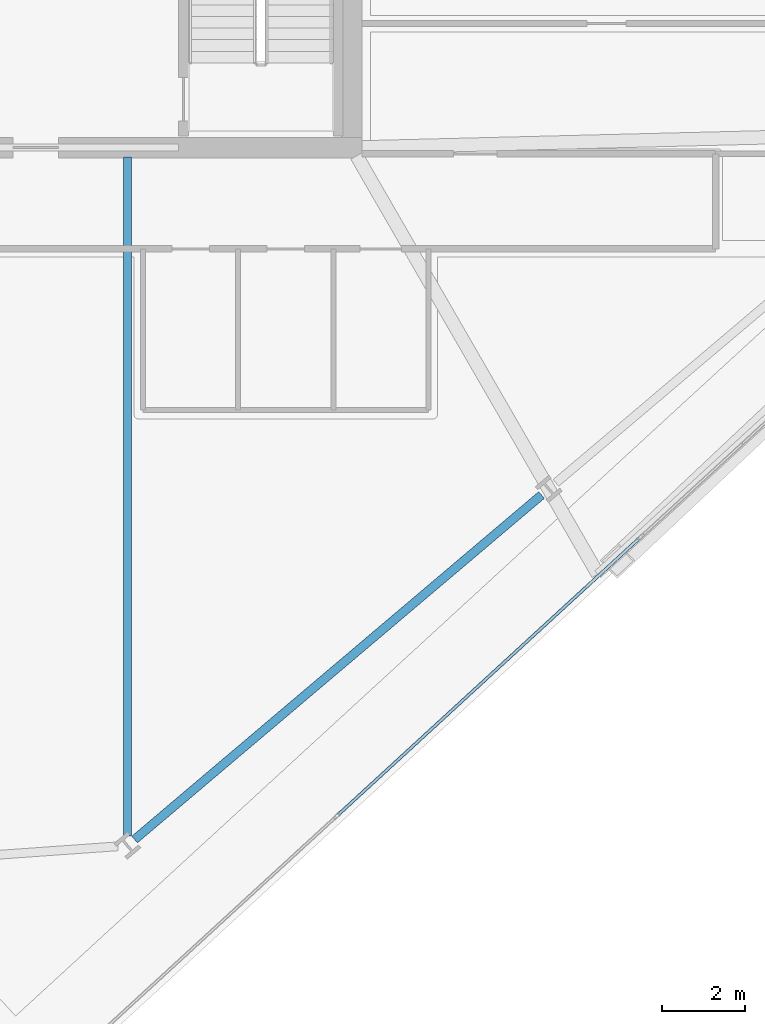
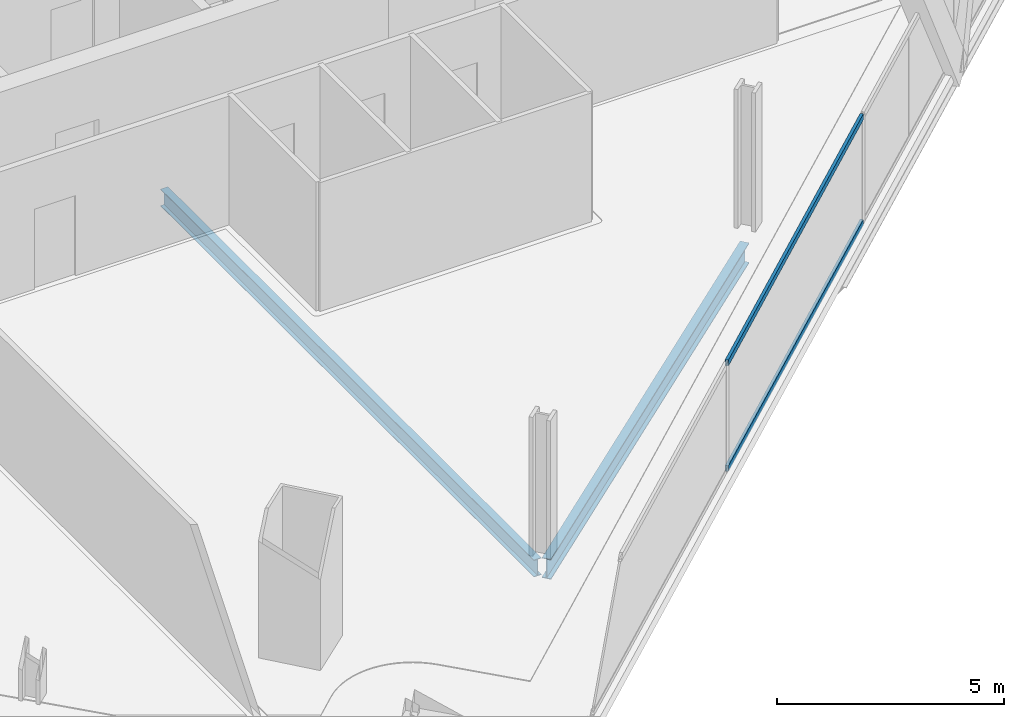
# One storey, part 7 of 32: 2 beams, 2 members, 1 element without a shape of its own.
"""IFC4 building model written with IfcOpenShell, lengths in metres."""

from ifc_helpers import new_model, si_unit, direction, frame, origin, origin_2d, place, context, subcontext, project, spatial, hollow_rectangle, i_section, extrude, material, material_profile, profile_set, type_object, element, aggregate, save


model = new_model("IFC4")

# Units and contexts
model_context = context("Model", 3, precision=1e-05, world=origin(), true_north=direction((0.0, 1.0)))
body_context = subcontext(model_context, "Body", "Model", "MODEL_VIEW")
ifc_project = project(units=[si_unit("LENGTHUNIT", "METRE"), si_unit("AREAUNIT", "SQUARE_METRE"), si_unit("VOLUMEUNIT", "CUBIC_METRE"), si_unit("PLANEANGLEUNIT", "RADIAN"), si_unit("MASSUNIT", "GRAM", prefix="KILO")], contexts=[model_context])

# Site, building, storey
site_placement = place(None, origin())
site = spatial("IfcSite", under=ifc_project, at=site_placement, CompositionType="ELEMENT")
building_placement = place(site_placement, origin())
building = spatial("IfcBuilding", under=site, at=building_placement, Name="Haldenkirk Collegiate Tower", CompositionType="ELEMENT")
storey_placement = place(building_placement, frame((0.0, 0.0, 170.699951171875)))
storey = spatial("IfcBuildingStorey", under=building, at=storey_placement, Name="L42", CompositionType="ELEMENT", Elevation=170.699951171875)

# Beams
ifc_material_1 = material(Name="Steel ASTM A992 Grade 50", Category="steel")
ifc_material_profile_1 = material_profile(ifc_material_1, i_section(OverallWidth=0.18994140625, OverallDepth=0.45703125, WebThickness=0.009033203125, FlangeThickness=0.014404296875, at=origin_2d()), Name="W18X50")
ifc_profile_set_1 = profile_set([ifc_material_profile_1], Name="Steel ASTM A992 Grade 50")
beam_type_1 = type_object("IfcBeamType", Name="BM-JOIST-W18X50", PredefinedType="JOIST", material=ifc_profile_set_1)
beam_1_placement = place(storey_placement, frame((39.568603515625, 1.342529296875, -0.5185546875), z_axis=(0.0, 1.0, 0.0), x_axis=(-1.0, 0.0, 0.0)))
element("IfcBeam", 1, at=beam_1_placement, inside=storey, type_object=beam_type_1, Name="L42 composite floor joist 05", PredefinedType="JOIST", context=body_context, shape_type="SweptSolid", body=[
    extrude(i_section(OverallWidth=0.18994140625, OverallDepth=0.45703125, WebThickness=0.009033203125, FlangeThickness=0.014404296875, at=origin_2d()), origin(), (0.0, 0.0, 1.0), 16.427490234375),
])
ifc_material_profile_2 = material_profile(ifc_material_1, i_section(OverallWidth=0.2119140625, OverallDepth=0.5439453125, WebThickness=0.01318359375, FlangeThickness=0.021240234375, at=origin_2d()), Name="W21X83")
ifc_profile_set_2 = profile_set([ifc_material_profile_2], Name="Steel ASTM A992 Grade 50")
beam_type_2 = type_object("IfcBeamType", Name="BM-SPANDREL-W21X83", PredefinedType="SPANDREL", material=ifc_profile_set_2)
beam_2_placement = place(storey_placement, frame((39.743408203125, 1.261474609375, -0.56201171875), z_axis=(0.763233335078, 0.646122957514, 0.0), x_axis=(-0.646122957514, 0.763233335078, 0.0)))
element("IfcBeam", 2, at=beam_2_placement, inside=storey, type_object=beam_type_2, Name="L42 perimeter spandrel beam 02", PredefinedType="SPANDREL", context=body_context, shape_type="SweptSolid", body=[
    extrude(i_section(OverallWidth=0.2119140625, OverallDepth=0.5439453125, WebThickness=0.01318359375, FlangeThickness=0.021240234375, at=origin_2d()), origin(), (0.0, 0.0, 1.0), 12.898193359375),
])

# Curtain wall, members
ifc_material_2 = material(Name="Anodised architectural bronze aluminium", Category="aluminium")
curtain_wall_type = type_object("IfcCurtainWallType", Name="CW-SYS2-CONCAVE", PredefinedType="USERDEFINED", material=ifc_material_2)
curtain_wall_placement = place(storey_placement, origin())
curtain_wall = element("IfcCurtainWall", 3, at=curtain_wall_placement, inside=storey, type_object=curtain_wall_type, Name="L42 South concave recessed bronze-anodised curtain wall", ObjectType="UNITISED CURTAIN WALL", PredefinedType="USERDEFINED")
ifc_material_profile_3 = material_profile(ifc_material_2, hollow_rectangle(XDim=0.074951171875, YDim=0.159912109375, WallThickness=0.0048828125, at=origin_2d()), Name="CW-TRN-02")
ifc_profile_set_3 = profile_set([ifc_material_profile_3], Name="Anodised architectural bronze aluminium")
member_type = type_object("IfcMemberType", Name="CW-TRN-02", PredefinedType="USERDEFINED", material=ifc_profile_set_3)
member_1_placement = place(storey_placement, frame((51.9619140625, 8.5556640625, 0.03759765625), z_axis=(-0.736694346783, -0.676225878992, 0.0), x_axis=(0.676225878992, -0.736694346783, 0.0)))
member_1 = element("IfcMember", 4, at=member_1_placement, type_object=member_type, Name="CW-02 transom 3.1", ObjectType="TRANSOM", PredefinedType="USERDEFINED", context=body_context, shape_type="SweptSolid", body=[
    extrude(hollow_rectangle(XDim=0.074951171875, YDim=0.159912109375, WallThickness=0.0048828125, at=origin_2d()), origin(), (0.0, 0.0, 1.0), 9.89990234375),
])
member_2_placement = place(storey_placement, frame((51.9619140625, 8.5556640625, 2.87353515625), z_axis=(-0.736694346783, -0.676225878992, 0.0), x_axis=(0.676225878992, -0.736694346783, 0.0)))
member_2 = element("IfcMember", 5, at=member_2_placement, type_object=member_type, Name="CW-02 transom 3.2", ObjectType="TRANSOM", PredefinedType="USERDEFINED", context=body_context, shape_type="SweptSolid", body=[
    extrude(hollow_rectangle(XDim=0.074951171875, YDim=0.159912109375, WallThickness=0.0048828125, at=origin_2d()), origin(), (0.0, 0.0, 1.0), 9.89990234375),
])
aggregate(curtain_wall, [member_1, member_2])

save(model, "model.ifc")
